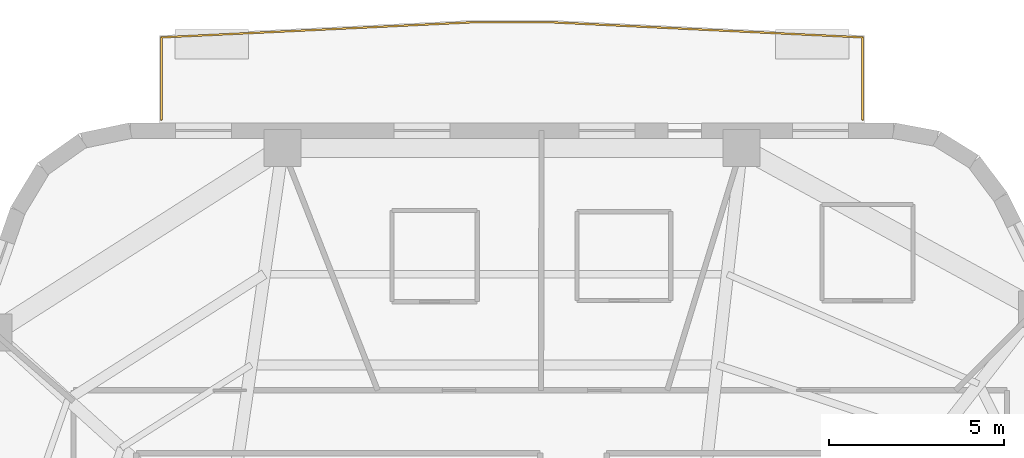
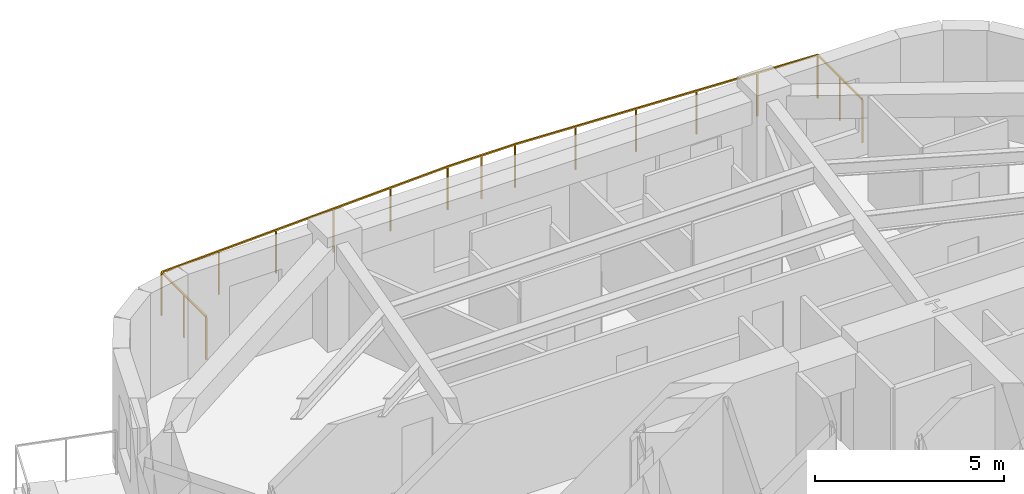
# One storey, part 11 of 11: 1 railing.
"""IFC4 building model written with IfcOpenShell, lengths in metres."""

from ifc_helpers import new_model, si_unit, direction, frame, origin, origin_2d, place, context, subcontext, project, spatial, rectangle, extrude, material, layer, layer_set, type_object, element, save


model = new_model("IFC4")

# Units and contexts
model_context = context("Model", 3, precision=1e-05, world=origin(), true_north=direction((0.0, 1.0)))
body_context = subcontext(model_context, "Body", "Model", "MODEL_VIEW")
ifc_project = project(units=[si_unit("LENGTHUNIT", "METRE"), si_unit("AREAUNIT", "SQUARE_METRE"), si_unit("VOLUMEUNIT", "CUBIC_METRE"), si_unit("PLANEANGLEUNIT", "RADIAN"), si_unit("MASSUNIT", "GRAM", prefix="KILO")], contexts=[model_context])

# Site, building, storey
site_placement = place(None, origin())
site = spatial("IfcSite", under=ifc_project, at=site_placement, CompositionType="ELEMENT")
building_placement = place(site_placement, origin())
building = spatial("IfcBuilding", under=site, at=building_placement, Name="Kilnhurst Terrace Hotel", CompositionType="ELEMENT")
storey_placement = place(building_placement, frame((0.0, 0.0, 166.5)))
storey = spatial("IfcBuildingStorey", under=building, at=storey_placement, Name="L41", CompositionType="ELEMENT", Elevation=166.5)

# Railing
ifc_material = material(Name="Laminated SentryGlas and Stainless Steel AISI 316L Balustrade", Category="steel")
ifc_layer = layer(ifc_material, 0.070068359375, Name="Laminated SentryGlas and Stainless Steel AISI 316L Balustrade")
ifc_layer_set = layer_set([ifc_layer], Name="Laminated SentryGlas and Stainless Steel AISI 316L Balustrade")
railing_type = type_object("IfcRailingType", Name="RLG-BAL-1420", PredefinedType="BALUSTRADE", material=ifc_layer_set)
railing_placement = place(storey_placement, frame((-10.83349609375, 19.580078125, 0.0)))
element("IfcRailing", 1, at=railing_placement, inside=storey, type_object=railing_type, Name="L41 Exterior Terrace Guardrail BAL-L2A.1", PredefinedType="BALUSTRADE", context=body_context, shape_type="SweptSolid", body=[
    extrude(rectangle(XDim=0.048095703125, YDim=0.048095703125, at=origin_2d()), frame((0.0, 0.0, 1.39599609375), z_axis=(0.0, 1.0, 0.0), x_axis=(-1.0, 0.0, 0.0)), (0.0, 0.0, 1.0), 2.36279296875),
    extrude(rectangle(XDim=0.048095703125, YDim=0.048095703125, at=origin_2d()), frame((0.0, 2.36279296875, 1.39599609375), z_axis=(0.998822813861, 0.048507592295, 0.0), x_axis=(-0.048507592295, 0.998822813861, 0.0)), (0.0, 0.0, 1.0), 9.009033203125),
    extrude(rectangle(XDim=0.048095703125, YDim=0.048095703125, at=origin_2d()), frame((8.99853515625, 2.7998046875, 1.39599609375), z_axis=(1.0, 0.0, 0.0), x_axis=(0.0, 1.0, 0.0)), (0.0, 0.0, 1.0), 2.0556640625),
    extrude(rectangle(XDim=0.048095703125, YDim=0.048095703125, at=origin_2d()), frame((11.05419921875, 2.7998046875, 1.39599609375), z_axis=(0.998822813861, -0.048507592295, 0.0), x_axis=(0.048507592295, 0.998822813861, 0.0)), (0.0, 0.0, 1.0), 9.009033203125),
    extrude(rectangle(XDim=0.048095703125, YDim=0.048095703125, at=origin_2d()), frame((20.052734375, 2.36279296875, 1.39599609375), z_axis=(0.0, -1.0, 0.0), x_axis=(1.0, 0.0, 0.0)), (0.0, 0.0, 1.0), 2.36279296875),
    extrude(rectangle(XDim=0.0419921875, YDim=0.0419921875, at=origin_2d()), origin(), (0.0, 0.0, 1.0), 1.371826171875),
    extrude(rectangle(XDim=0.0419921875, YDim=0.0419921875, at=origin_2d()), frame((0.0, 1.181396484375, 0.0)), (0.0, 0.0, 1.0), 1.371826171875),
    extrude(rectangle(XDim=0.0419921875, YDim=0.0419921875, at=origin_2d()), frame((0.0, 2.36279296875, 0.0)), (0.0, 0.0, 1.0), 1.371826171875),
    extrude(rectangle(XDim=0.0419921875, YDim=0.0419921875, at=origin_2d()), frame((1.7998046875, 2.4501953125, 0.0)), (0.0, 0.0, 1.0), 1.371826171875),
    extrude(rectangle(XDim=0.0419921875, YDim=0.0419921875, at=origin_2d()), frame((3.599365234375, 2.53759765625, 0.0)), (0.0, 0.0, 1.0), 1.371826171875),
    extrude(rectangle(XDim=0.0419921875, YDim=0.0419921875, at=origin_2d()), frame((5.399169921875, 2.625, 0.0)), (0.0, 0.0, 1.0), 1.371826171875),
    extrude(rectangle(XDim=0.0419921875, YDim=0.0419921875, at=origin_2d()), frame((7.19873046875, 2.71240234375, 0.0)), (0.0, 0.0, 1.0), 1.371826171875),
    extrude(rectangle(XDim=0.0419921875, YDim=0.0419921875, at=origin_2d()), frame((8.99853515625, 2.7998046875, 0.0)), (0.0, 0.0, 1.0), 1.371826171875),
    extrude(rectangle(XDim=0.0419921875, YDim=0.0419921875, at=origin_2d()), frame((10.0263671875, 2.7998046875, 0.0)), (0.0, 0.0, 1.0), 1.371826171875),
    extrude(rectangle(XDim=0.0419921875, YDim=0.0419921875, at=origin_2d()), frame((11.05419921875, 2.7998046875, 0.0)), (0.0, 0.0, 1.0), 1.371826171875),
    extrude(rectangle(XDim=0.0419921875, YDim=0.0419921875, at=origin_2d()), frame((12.85400390625, 2.71240234375, 0.0)), (0.0, 0.0, 1.0), 1.371826171875),
    extrude(rectangle(XDim=0.0419921875, YDim=0.0419921875, at=origin_2d()), frame((14.653564453125, 2.625, 0.0)), (0.0, 0.0, 1.0), 1.371826171875),
    extrude(rectangle(XDim=0.0419921875, YDim=0.0419921875, at=origin_2d()), frame((16.453369140625, 2.53759765625, 0.0)), (0.0, 0.0, 1.0), 1.371826171875),
    extrude(rectangle(XDim=0.0419921875, YDim=0.0419921875, at=origin_2d()), frame((18.2529296875, 2.4501953125, 0.0)), (0.0, 0.0, 1.0), 1.371826171875),
    extrude(rectangle(XDim=0.0419921875, YDim=0.0419921875, at=origin_2d()), frame((20.052734375, 2.36279296875, 0.0)), (0.0, 0.0, 1.0), 1.371826171875),
    extrude(rectangle(XDim=0.0419921875, YDim=0.0419921875, at=origin_2d()), frame((20.052734375, 1.181396484375, 0.0)), (0.0, 0.0, 1.0), 1.371826171875),
    extrude(rectangle(XDim=0.0419921875, YDim=0.0419921875, at=origin_2d()), frame((20.052734375, 0.0, 0.0)), (0.0, 0.0, 1.0), 1.371826171875),
])

save(model, "model.ifc")
